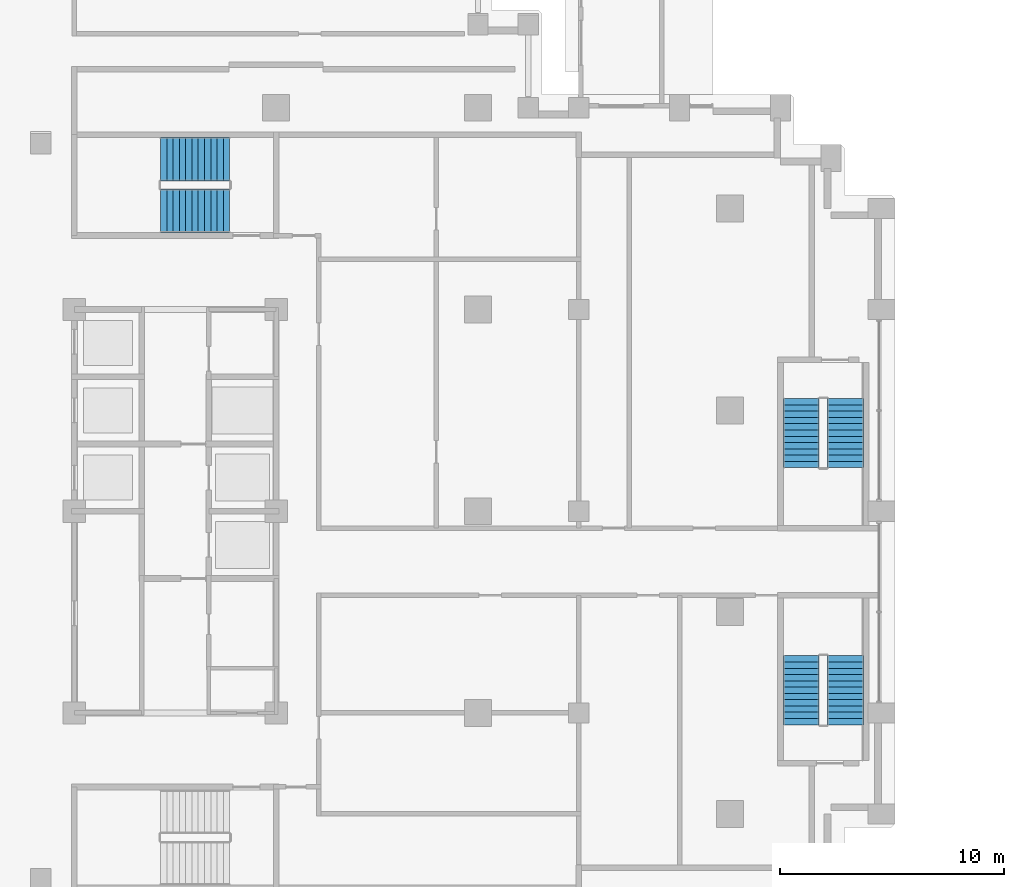
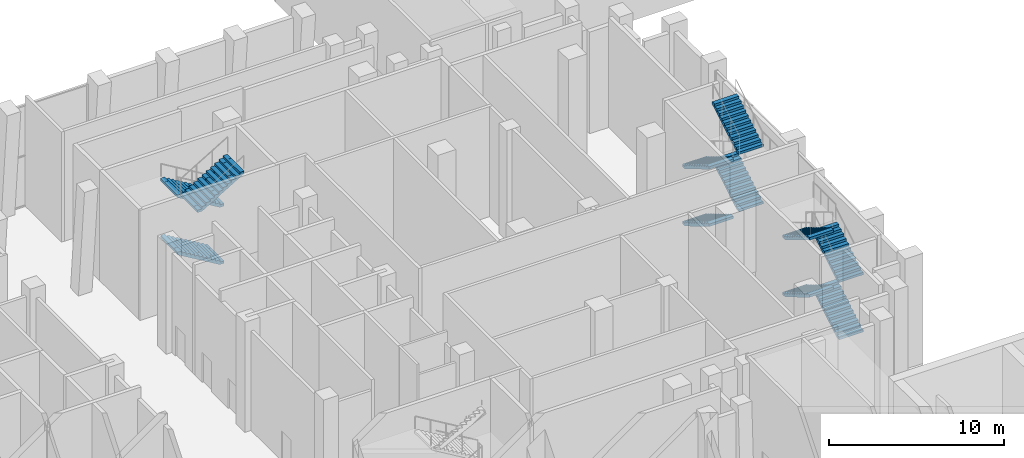
# One storey, part 19 of 24: 11 stair flights, 3 elements without a shape of their own.
"""IFC4 building model written with IfcOpenShell, lengths in metres."""

from ifc_helpers import new_model, si_unit, direction, frame, origin, place, context, subcontext, project, spatial, polyline, outline, extrude, material, type_object, element, aggregate, save


model = new_model("IFC4")

# Units and contexts
model_context = context("Model", 3, precision=1e-05, world=origin(), true_north=direction((0.0, 1.0)))
body_context = subcontext(model_context, "Body", "Model", "MODEL_VIEW")
ifc_project = project(units=[si_unit("LENGTHUNIT", "METRE"), si_unit("AREAUNIT", "SQUARE_METRE"), si_unit("VOLUMEUNIT", "CUBIC_METRE"), si_unit("PLANEANGLEUNIT", "RADIAN"), si_unit("MASSUNIT", "GRAM", prefix="KILO")], contexts=[model_context])

# Site, building, storey
site_placement = place(None, origin())
site = spatial("IfcSite", under=ifc_project, at=site_placement, CompositionType="ELEMENT")
building_placement = place(site_placement, origin())
building = spatial("IfcBuilding", under=site, at=building_placement, Name="Corbelhall Arena Tower", CompositionType="ELEMENT")
storey_placement = place(building_placement, frame((0.0, 0.0, 60.0)))
storey = spatial("IfcBuildingStorey", under=building, at=storey_placement, Name="L08", CompositionType="ELEMENT", Elevation=60.0)

# Stair, stair flights
ifc_material = material(Name="Concrete C40/50", Category="concrete")
stair_type = type_object("IfcStairType", Name="IN-ST-TOWER", PredefinedType="HALF_TURN_STAIR", material=ifc_material)
stair_1_placement = place(storey_placement, origin())
stair_1 = element("IfcStair", 1, at=stair_1_placement, inside=storey, type_object=stair_type, Name="L08 Exit stair ST3", PredefinedType="HALF_TURN_STAIR")
stair_flight_type = type_object("IfcStairFlightType", Name="IN-SFL-RC", PredefinedType="STRAIGHT", material=ifc_material)
stair_flight_1_placement = place(storey_placement, frame((11.425048828125, 15.699951171875, 0.0), z_axis=(0.0, 0.0, 1.0), x_axis=(-1.0, 0.0, 0.0)))
stair_flight_1 = element("IfcStairFlight", 2, at=stair_flight_1_placement, type_object=stair_flight_type, Name="ST3 flight 1", NumberOfRisers=12, NumberOfTreads=11, PredefinedType="STRAIGHT", RiserHeight=0.166666667, TreadLength=0.28, context=body_context, shape_type="SweptSolid", body=[
    extrude(outline(polyline([(0.0, 0.0), (0.0, 0.166748046875), (0.280029296875, 0.166748046875), (0.280029296875, 0.333251953125), (0.56005859375, 0.333251953125), (0.56005859375, 0.5), (0.840087890625, 0.5), (0.840087890625, 0.666748046875), (1.1201171875, 0.666748046875), (1.1201171875, 0.833251953125), (1.39990234375, 0.833251953125), (1.39990234375, 1.0), (1.679931640625, 1.0), (1.679931640625, 1.166748046875), (1.9599609375, 1.166748046875), (1.9599609375, 1.333251953125), (2.239990234375, 1.333251953125), (2.239990234375, 1.5), (2.52001953125, 1.5), (2.52001953125, 1.666748046875), (2.800048828125, 1.666748046875), (2.800048828125, 1.833251953125), (3.080078125, 1.833251953125), (3.080078125, 2.0), (3.080078125, 1.658935546875), (0.29296875, 0.0), (0.0, 0.0)])), frame((0.0, 0.97509765625, 0.0), z_axis=(0.0, -1.0, 0.0), x_axis=(1.0, 0.0, 0.0)), (0.0, 0.0, 1.0), 0.449951171875),
    extrude(outline(polyline([(0.0, 0.0), (0.0, 0.166748046875), (0.280029296875, 0.166748046875), (0.280029296875, 0.333251953125), (0.56005859375, 0.333251953125), (0.56005859375, 0.5), (0.840087890625, 0.5), (0.840087890625, 0.666748046875), (1.1201171875, 0.666748046875), (1.1201171875, 0.833251953125), (1.39990234375, 0.833251953125), (1.39990234375, 1.0), (1.679931640625, 1.0), (1.679931640625, 1.166748046875), (1.9599609375, 1.166748046875), (1.9599609375, 1.333251953125), (2.239990234375, 1.333251953125), (2.239990234375, 1.5), (2.52001953125, 1.5), (2.52001953125, 1.666748046875), (2.800048828125, 1.666748046875), (2.800048828125, 1.833251953125), (3.080078125, 1.833251953125), (3.080078125, 2.0), (3.080078125, 1.658935546875), (0.29296875, 0.0), (0.0, 0.0)])), frame((0.0, 0.52099609375, 0.0), z_axis=(0.0, -1.0, 0.0), x_axis=(1.0, 0.0, 0.0)), (0.0, 0.0, 1.0), 1.0419921875),
    extrude(outline(polyline([(0.0, 0.0), (0.0, 0.166748046875), (0.280029296875, 0.166748046875), (0.280029296875, 0.333251953125), (0.56005859375, 0.333251953125), (0.56005859375, 0.5), (0.840087890625, 0.5), (0.840087890625, 0.666748046875), (1.1201171875, 0.666748046875), (1.1201171875, 0.833251953125), (1.39990234375, 0.833251953125), (1.39990234375, 1.0), (1.679931640625, 1.0), (1.679931640625, 1.166748046875), (1.9599609375, 1.166748046875), (1.9599609375, 1.333251953125), (2.239990234375, 1.333251953125), (2.239990234375, 1.5), (2.52001953125, 1.5), (2.52001953125, 1.666748046875), (2.800048828125, 1.666748046875), (2.800048828125, 1.833251953125), (3.080078125, 1.833251953125), (3.080078125, 2.0), (3.080078125, 1.658935546875), (0.29296875, 0.0), (0.0, 0.0)])), frame((0.0, -0.52490234375, 0.0), z_axis=(0.0, -1.0, 0.0), x_axis=(1.0, 0.0, 0.0)), (0.0, 0.0, 1.0), 0.449951171875),
])
stair_flight_2_placement = place(storey_placement, frame((11.425048828125, 15.699951171875, 4.0), z_axis=(0.0, 0.0, 1.0), x_axis=(-1.0, 0.0, 0.0)))
stair_flight_2 = element("IfcStairFlight", 3, at=stair_flight_2_placement, type_object=stair_flight_type, Name="ST3 flight 3", NumberOfRisers=12, NumberOfTreads=11, PredefinedType="STRAIGHT", RiserHeight=0.166666667, TreadLength=0.28, context=body_context, shape_type="SweptSolid", body=[
    extrude(outline(polyline([(0.0, 0.0), (0.0, 0.166748046875), (0.280029296875, 0.166748046875), (0.280029296875, 0.333251953125), (0.56005859375, 0.333251953125), (0.56005859375, 0.5), (0.840087890625, 0.5), (0.840087890625, 0.666748046875), (1.1201171875, 0.666748046875), (1.1201171875, 0.833251953125), (1.39990234375, 0.833251953125), (1.39990234375, 1.0), (1.679931640625, 1.0), (1.679931640625, 1.166748046875), (1.9599609375, 1.166748046875), (1.9599609375, 1.333251953125), (2.239990234375, 1.333251953125), (2.239990234375, 1.5), (2.52001953125, 1.5), (2.52001953125, 1.666748046875), (2.800048828125, 1.666748046875), (2.800048828125, 1.833251953125), (3.080078125, 1.833251953125), (3.080078125, 2.0), (3.080078125, 1.658935546875), (0.29296875, 0.0), (0.0, 0.0)])), frame((0.0, 0.97509765625, 0.0), z_axis=(0.0, -1.0, 0.0), x_axis=(1.0, 0.0, 0.0)), (0.0, 0.0, 1.0), 0.449951171875),
    extrude(outline(polyline([(0.0, 0.0), (0.0, 0.166748046875), (0.280029296875, 0.166748046875), (0.280029296875, 0.333251953125), (0.56005859375, 0.333251953125), (0.56005859375, 0.5), (0.840087890625, 0.5), (0.840087890625, 0.666748046875), (1.1201171875, 0.666748046875), (1.1201171875, 0.833251953125), (1.39990234375, 0.833251953125), (1.39990234375, 1.0), (1.679931640625, 1.0), (1.679931640625, 1.166748046875), (1.9599609375, 1.166748046875), (1.9599609375, 1.333251953125), (2.239990234375, 1.333251953125), (2.239990234375, 1.5), (2.52001953125, 1.5), (2.52001953125, 1.666748046875), (2.800048828125, 1.666748046875), (2.800048828125, 1.833251953125), (3.080078125, 1.833251953125), (3.080078125, 2.0), (3.080078125, 1.658935546875), (0.29296875, 0.0), (0.0, 0.0)])), frame((0.0, 0.52099609375, 0.0), z_axis=(0.0, -1.0, 0.0), x_axis=(1.0, 0.0, 0.0)), (0.0, 0.0, 1.0), 1.0419921875),
    extrude(outline(polyline([(0.0, 0.0), (0.0, 0.166748046875), (0.280029296875, 0.166748046875), (0.280029296875, 0.333251953125), (0.56005859375, 0.333251953125), (0.56005859375, 0.5), (0.840087890625, 0.5), (0.840087890625, 0.666748046875), (1.1201171875, 0.666748046875), (1.1201171875, 0.833251953125), (1.39990234375, 0.833251953125), (1.39990234375, 1.0), (1.679931640625, 1.0), (1.679931640625, 1.166748046875), (1.9599609375, 1.166748046875), (1.9599609375, 1.333251953125), (2.239990234375, 1.333251953125), (2.239990234375, 1.5), (2.52001953125, 1.5), (2.52001953125, 1.666748046875), (2.800048828125, 1.666748046875), (2.800048828125, 1.833251953125), (3.080078125, 1.833251953125), (3.080078125, 2.0), (3.080078125, 1.658935546875), (0.29296875, 0.0), (0.0, 0.0)])), frame((0.0, -0.52490234375, 0.0), z_axis=(0.0, -1.0, 0.0), x_axis=(1.0, 0.0, 0.0)), (0.0, 0.0, 1.0), 0.449951171875),
])
stair_flight_3_placement = place(storey_placement, frame((8.344970703125, 13.39990234375, 6.0), z_axis=(0.0, 0.0, 1.0), x_axis=(1.0, 0.0, 0.0)))
stair_flight_3 = element("IfcStairFlight", 4, at=stair_flight_3_placement, type_object=stair_flight_type, Name="ST3 flight 4", NumberOfRisers=12, NumberOfTreads=11, PredefinedType="STRAIGHT", RiserHeight=0.166666667, TreadLength=0.28, context=body_context, shape_type="SweptSolid", body=[
    extrude(outline(polyline([(0.0, 0.0), (0.0, 0.166748046875), (0.280029296875, 0.166748046875), (0.280029296875, 0.333251953125), (0.56005859375, 0.333251953125), (0.56005859375, 0.5), (0.840087890625, 0.5), (0.840087890625, 0.666748046875), (1.1201171875, 0.666748046875), (1.1201171875, 0.833251953125), (1.39990234375, 0.833251953125), (1.39990234375, 1.0), (1.679931640625, 1.0), (1.679931640625, 1.166748046875), (1.9599609375, 1.166748046875), (1.9599609375, 1.333251953125), (2.239990234375, 1.333251953125), (2.239990234375, 1.5), (2.52001953125, 1.5), (2.52001953125, 1.666748046875), (2.800048828125, 1.666748046875), (2.800048828125, 1.833251953125), (3.080078125, 1.833251953125), (3.080078125, 2.0), (3.080078125, 1.658935546875), (0.29296875, 0.0), (0.0, 0.0)])), frame((0.0, 0.97509765625, 0.0), z_axis=(0.0, -1.0, 0.0), x_axis=(1.0, 0.0, 0.0)), (0.0, 0.0, 1.0), 0.449951171875),
    extrude(outline(polyline([(0.0, 0.0), (0.0, 0.166748046875), (0.280029296875, 0.166748046875), (0.280029296875, 0.333251953125), (0.56005859375, 0.333251953125), (0.56005859375, 0.5), (0.840087890625, 0.5), (0.840087890625, 0.666748046875), (1.1201171875, 0.666748046875), (1.1201171875, 0.833251953125), (1.39990234375, 0.833251953125), (1.39990234375, 1.0), (1.679931640625, 1.0), (1.679931640625, 1.166748046875), (1.9599609375, 1.166748046875), (1.9599609375, 1.333251953125), (2.239990234375, 1.333251953125), (2.239990234375, 1.5), (2.52001953125, 1.5), (2.52001953125, 1.666748046875), (2.800048828125, 1.666748046875), (2.800048828125, 1.833251953125), (3.080078125, 1.833251953125), (3.080078125, 2.0), (3.080078125, 1.658935546875), (0.29296875, 0.0), (0.0, 0.0)])), frame((0.0, 0.52099609375, 0.0), z_axis=(0.0, -1.0, 0.0), x_axis=(1.0, 0.0, 0.0)), (0.0, 0.0, 1.0), 1.0419921875),
    extrude(outline(polyline([(0.0, 0.0), (0.0, 0.166748046875), (0.280029296875, 0.166748046875), (0.280029296875, 0.333251953125), (0.56005859375, 0.333251953125), (0.56005859375, 0.5), (0.840087890625, 0.5), (0.840087890625, 0.666748046875), (1.1201171875, 0.666748046875), (1.1201171875, 0.833251953125), (1.39990234375, 0.833251953125), (1.39990234375, 1.0), (1.679931640625, 1.0), (1.679931640625, 1.166748046875), (1.9599609375, 1.166748046875), (1.9599609375, 1.333251953125), (2.239990234375, 1.333251953125), (2.239990234375, 1.5), (2.52001953125, 1.5), (2.52001953125, 1.666748046875), (2.800048828125, 1.666748046875), (2.800048828125, 1.833251953125), (3.080078125, 1.833251953125), (3.080078125, 2.0), (3.080078125, 1.658935546875), (0.29296875, 0.0), (0.0, 0.0)])), frame((0.0, -0.52490234375, 0.0), z_axis=(0.0, -1.0, 0.0), x_axis=(1.0, 0.0, 0.0)), (0.0, 0.0, 1.0), 0.449951171875),
])
aggregate(stair_1, [stair_flight_1, stair_flight_2, stair_flight_3])

stair_2_placement = place(storey_placement, origin())
stair_2 = element("IfcStair", 5, at=stair_2_placement, inside=storey, type_object=stair_type, Name="L08 Exit stair SD1", PredefinedType="HALF_TURN_STAIR")
stair_flight_4_placement = place(storey_placement, frame((38.89990234375, -9.52490234375, 0.0), z_axis=(0.0, 0.0, 1.0), x_axis=(0.0, 1.0, 0.0)))
stair_flight_4 = element("IfcStairFlight", 6, at=stair_flight_4_placement, type_object=stair_flight_type, Name="SD1 flight 1", NumberOfRisers=12, NumberOfTreads=11, PredefinedType="STRAIGHT", RiserHeight=0.166666667, TreadLength=0.28, context=body_context, shape_type="SweptSolid", body=[
    extrude(outline(polyline([(0.0, 0.0), (0.0, 0.166748046875), (0.280029296875, 0.166748046875), (0.280029296875, 0.333251953125), (0.56005859375, 0.333251953125), (0.56005859375, 0.5), (0.840087890625, 0.5), (0.840087890625, 0.666748046875), (1.1201171875, 0.666748046875), (1.1201171875, 0.833251953125), (1.39990234375, 0.833251953125), (1.39990234375, 1.0), (1.679931640625, 1.0), (1.679931640625, 1.166748046875), (1.9599609375, 1.166748046875), (1.9599609375, 1.333251953125), (2.239990234375, 1.333251953125), (2.239990234375, 1.5), (2.52001953125, 1.5), (2.52001953125, 1.666748046875), (2.800048828125, 1.666748046875), (2.800048828125, 1.833251953125), (3.080078125, 1.833251953125), (3.080078125, 2.0), (3.080078125, 1.658935546875), (0.29296875, 0.0), (0.0, 0.0)])), frame((0.0, 0.800048828125, 0.0), z_axis=(0.0, -1.0, 0.0), x_axis=(1.0, 0.0, 0.0)), (0.0, 0.0, 1.0), 1.60009765625),
])
stair_flight_5_placement = place(storey_placement, frame((36.925048828125, -6.445068359375, 2.0), z_axis=(0.0, 0.0, 1.0), x_axis=(0.0, -1.0, 0.0)))
stair_flight_5 = element("IfcStairFlight", 7, at=stair_flight_5_placement, type_object=stair_flight_type, Name="SD1 flight 2", NumberOfRisers=12, NumberOfTreads=11, PredefinedType="STRAIGHT", RiserHeight=0.166666667, TreadLength=0.28, context=body_context, shape_type="SweptSolid", body=[
    extrude(outline(polyline([(0.0, 0.0), (0.0, 0.166748046875), (0.280029296875, 0.166748046875), (0.280029296875, 0.333251953125), (0.56005859375, 0.333251953125), (0.56005859375, 0.5), (0.840087890625, 0.5), (0.840087890625, 0.666748046875), (1.1201171875, 0.666748046875), (1.1201171875, 0.833251953125), (1.39990234375, 0.833251953125), (1.39990234375, 1.0), (1.679931640625, 1.0), (1.679931640625, 1.166748046875), (1.9599609375, 1.166748046875), (1.9599609375, 1.333251953125), (2.239990234375, 1.333251953125), (2.239990234375, 1.5), (2.52001953125, 1.5), (2.52001953125, 1.666748046875), (2.800048828125, 1.666748046875), (2.800048828125, 1.833251953125), (3.080078125, 1.833251953125), (3.080078125, 2.0), (3.080078125, 1.658935546875), (0.29296875, 0.0), (0.0, 0.0)])), frame((0.0, 0.800048828125, 0.0), z_axis=(0.0, -1.0, 0.0), x_axis=(1.0, 0.0, 0.0)), (0.0, 0.0, 1.0), 1.60009765625),
])
stair_flight_6_placement = place(storey_placement, frame((38.89990234375, -9.52490234375, 4.0), z_axis=(0.0, 0.0, 1.0), x_axis=(0.0, 1.0, 0.0)))
stair_flight_6 = element("IfcStairFlight", 8, at=stair_flight_6_placement, type_object=stair_flight_type, Name="SD1 flight 3", NumberOfRisers=12, NumberOfTreads=11, PredefinedType="STRAIGHT", RiserHeight=0.166666667, TreadLength=0.28, context=body_context, shape_type="SweptSolid", body=[
    extrude(outline(polyline([(0.0, 0.0), (0.0, 0.166748046875), (0.280029296875, 0.166748046875), (0.280029296875, 0.333251953125), (0.56005859375, 0.333251953125), (0.56005859375, 0.5), (0.840087890625, 0.5), (0.840087890625, 0.666748046875), (1.1201171875, 0.666748046875), (1.1201171875, 0.833251953125), (1.39990234375, 0.833251953125), (1.39990234375, 1.0), (1.679931640625, 1.0), (1.679931640625, 1.166748046875), (1.9599609375, 1.166748046875), (1.9599609375, 1.333251953125), (2.239990234375, 1.333251953125), (2.239990234375, 1.5), (2.52001953125, 1.5), (2.52001953125, 1.666748046875), (2.800048828125, 1.666748046875), (2.800048828125, 1.833251953125), (3.080078125, 1.833251953125), (3.080078125, 2.0), (3.080078125, 1.658935546875), (0.29296875, 0.0), (0.0, 0.0)])), frame((0.0, 0.800048828125, 0.0), z_axis=(0.0, -1.0, 0.0), x_axis=(1.0, 0.0, 0.0)), (0.0, 0.0, 1.0), 1.60009765625),
])
stair_flight_7_placement = place(storey_placement, frame((36.925048828125, -6.445068359375, 6.0), z_axis=(0.0, 0.0, 1.0), x_axis=(0.0, -1.0, 0.0)))
stair_flight_7 = element("IfcStairFlight", 9, at=stair_flight_7_placement, type_object=stair_flight_type, Name="SD1 flight 4", NumberOfRisers=12, NumberOfTreads=11, PredefinedType="STRAIGHT", RiserHeight=0.166666667, TreadLength=0.28, context=body_context, shape_type="SweptSolid", body=[
    extrude(outline(polyline([(0.0, 0.0), (0.0, 0.166748046875), (0.280029296875, 0.166748046875), (0.280029296875, 0.333251953125), (0.56005859375, 0.333251953125), (0.56005859375, 0.5), (0.840087890625, 0.5), (0.840087890625, 0.666748046875), (1.1201171875, 0.666748046875), (1.1201171875, 0.833251953125), (1.39990234375, 0.833251953125), (1.39990234375, 1.0), (1.679931640625, 1.0), (1.679931640625, 1.166748046875), (1.9599609375, 1.166748046875), (1.9599609375, 1.333251953125), (2.239990234375, 1.333251953125), (2.239990234375, 1.5), (2.52001953125, 1.5), (2.52001953125, 1.666748046875), (2.800048828125, 1.666748046875), (2.800048828125, 1.833251953125), (3.080078125, 1.833251953125), (3.080078125, 2.0), (3.080078125, 1.658935546875), (0.29296875, 0.0), (0.0, 0.0)])), frame((0.0, 0.800048828125, 0.0), z_axis=(0.0, -1.0, 0.0), x_axis=(1.0, 0.0, 0.0)), (0.0, 0.0, 1.0), 1.60009765625),
])
aggregate(stair_2, [stair_flight_4, stair_flight_5, stair_flight_6, stair_flight_7])

stair_3_placement = place(storey_placement, origin())
stair_3 = element("IfcStair", 10, at=stair_3_placement, inside=storey, type_object=stair_type, Name="L08 Exit stair SD2", PredefinedType="HALF_TURN_STAIR")
stair_flight_8_placement = place(storey_placement, frame((36.925048828125, 5.02490234375, 0.0), z_axis=(0.0, 0.0, 1.0), x_axis=(0.0, -1.0, 0.0)))
stair_flight_8 = element("IfcStairFlight", 11, at=stair_flight_8_placement, type_object=stair_flight_type, Name="SD2 flight 1", NumberOfRisers=12, NumberOfTreads=11, PredefinedType="STRAIGHT", RiserHeight=0.166666667, TreadLength=0.28, context=body_context, shape_type="SweptSolid", body=[
    extrude(outline(polyline([(0.0, 0.0), (0.0, 0.166748046875), (0.280029296875, 0.166748046875), (0.280029296875, 0.333251953125), (0.56005859375, 0.333251953125), (0.56005859375, 0.5), (0.840087890625, 0.5), (0.840087890625, 0.666748046875), (1.1201171875, 0.666748046875), (1.1201171875, 0.833251953125), (1.39990234375, 0.833251953125), (1.39990234375, 1.0), (1.679931640625, 1.0), (1.679931640625, 1.166748046875), (1.9599609375, 1.166748046875), (1.9599609375, 1.333251953125), (2.239990234375, 1.333251953125), (2.239990234375, 1.5), (2.52001953125, 1.5), (2.52001953125, 1.666748046875), (2.800048828125, 1.666748046875), (2.800048828125, 1.833251953125), (3.080078125, 1.833251953125), (3.080078125, 2.0), (3.080078125, 1.658935546875), (0.29296875, 0.0), (0.0, 0.0)])), frame((0.0, 0.800048828125, 0.0), z_axis=(0.0, -1.0, 0.0), x_axis=(1.0, 0.0, 0.0)), (0.0, 0.0, 1.0), 1.60009765625),
])
stair_flight_9_placement = place(storey_placement, frame((38.89990234375, 1.945068359375, 2.0), z_axis=(0.0, 0.0, 1.0), x_axis=(0.0, 1.0, 0.0)))
stair_flight_9 = element("IfcStairFlight", 12, at=stair_flight_9_placement, type_object=stair_flight_type, Name="SD2 flight 2", NumberOfRisers=12, NumberOfTreads=11, PredefinedType="STRAIGHT", RiserHeight=0.166666667, TreadLength=0.28, context=body_context, shape_type="SweptSolid", body=[
    extrude(outline(polyline([(0.0, 0.0), (0.0, 0.166748046875), (0.280029296875, 0.166748046875), (0.280029296875, 0.333251953125), (0.56005859375, 0.333251953125), (0.56005859375, 0.5), (0.840087890625, 0.5), (0.840087890625, 0.666748046875), (1.1201171875, 0.666748046875), (1.1201171875, 0.833251953125), (1.39990234375, 0.833251953125), (1.39990234375, 1.0), (1.679931640625, 1.0), (1.679931640625, 1.166748046875), (1.9599609375, 1.166748046875), (1.9599609375, 1.333251953125), (2.239990234375, 1.333251953125), (2.239990234375, 1.5), (2.52001953125, 1.5), (2.52001953125, 1.666748046875), (2.800048828125, 1.666748046875), (2.800048828125, 1.833251953125), (3.080078125, 1.833251953125), (3.080078125, 2.0), (3.080078125, 1.658935546875), (0.29296875, 0.0), (0.0, 0.0)])), frame((0.0, 0.800048828125, 0.0), z_axis=(0.0, -1.0, 0.0), x_axis=(1.0, 0.0, 0.0)), (0.0, 0.0, 1.0), 1.60009765625),
])
stair_flight_10_placement = place(storey_placement, frame((36.925048828125, 5.02490234375, 4.0), z_axis=(0.0, 0.0, 1.0), x_axis=(0.0, -1.0, 0.0)))
stair_flight_10 = element("IfcStairFlight", 13, at=stair_flight_10_placement, type_object=stair_flight_type, Name="SD2 flight 3", NumberOfRisers=12, NumberOfTreads=11, PredefinedType="STRAIGHT", RiserHeight=0.166666667, TreadLength=0.28, context=body_context, shape_type="SweptSolid", body=[
    extrude(outline(polyline([(0.0, 0.0), (0.0, 0.166748046875), (0.280029296875, 0.166748046875), (0.280029296875, 0.333251953125), (0.56005859375, 0.333251953125), (0.56005859375, 0.5), (0.840087890625, 0.5), (0.840087890625, 0.666748046875), (1.1201171875, 0.666748046875), (1.1201171875, 0.833251953125), (1.39990234375, 0.833251953125), (1.39990234375, 1.0), (1.679931640625, 1.0), (1.679931640625, 1.166748046875), (1.9599609375, 1.166748046875), (1.9599609375, 1.333251953125), (2.239990234375, 1.333251953125), (2.239990234375, 1.5), (2.52001953125, 1.5), (2.52001953125, 1.666748046875), (2.800048828125, 1.666748046875), (2.800048828125, 1.833251953125), (3.080078125, 1.833251953125), (3.080078125, 2.0), (3.080078125, 1.658935546875), (0.29296875, 0.0), (0.0, 0.0)])), frame((0.0, 0.800048828125, 0.0), z_axis=(0.0, -1.0, 0.0), x_axis=(1.0, 0.0, 0.0)), (0.0, 0.0, 1.0), 1.60009765625),
])
stair_flight_11_placement = place(storey_placement, frame((38.89990234375, 1.945068359375, 6.0), z_axis=(0.0, 0.0, 1.0), x_axis=(0.0, 1.0, 0.0)))
stair_flight_11 = element("IfcStairFlight", 14, at=stair_flight_11_placement, type_object=stair_flight_type, Name="SD2 flight 4", NumberOfRisers=12, NumberOfTreads=11, PredefinedType="STRAIGHT", RiserHeight=0.166666667, TreadLength=0.28, context=body_context, shape_type="SweptSolid", body=[
    extrude(outline(polyline([(0.0, 0.0), (0.0, 0.166748046875), (0.280029296875, 0.166748046875), (0.280029296875, 0.333251953125), (0.56005859375, 0.333251953125), (0.56005859375, 0.5), (0.840087890625, 0.5), (0.840087890625, 0.666748046875), (1.1201171875, 0.666748046875), (1.1201171875, 0.833251953125), (1.39990234375, 0.833251953125), (1.39990234375, 1.0), (1.679931640625, 1.0), (1.679931640625, 1.166748046875), (1.9599609375, 1.166748046875), (1.9599609375, 1.333251953125), (2.239990234375, 1.333251953125), (2.239990234375, 1.5), (2.52001953125, 1.5), (2.52001953125, 1.666748046875), (2.800048828125, 1.666748046875), (2.800048828125, 1.833251953125), (3.080078125, 1.833251953125), (3.080078125, 2.0), (3.080078125, 1.658935546875), (0.29296875, 0.0), (0.0, 0.0)])), frame((0.0, 0.800048828125, 0.0), z_axis=(0.0, -1.0, 0.0), x_axis=(1.0, 0.0, 0.0)), (0.0, 0.0, 1.0), 1.60009765625),
])
aggregate(stair_3, [stair_flight_8, stair_flight_9, stair_flight_10, stair_flight_11])

save(model, "model.ifc")
